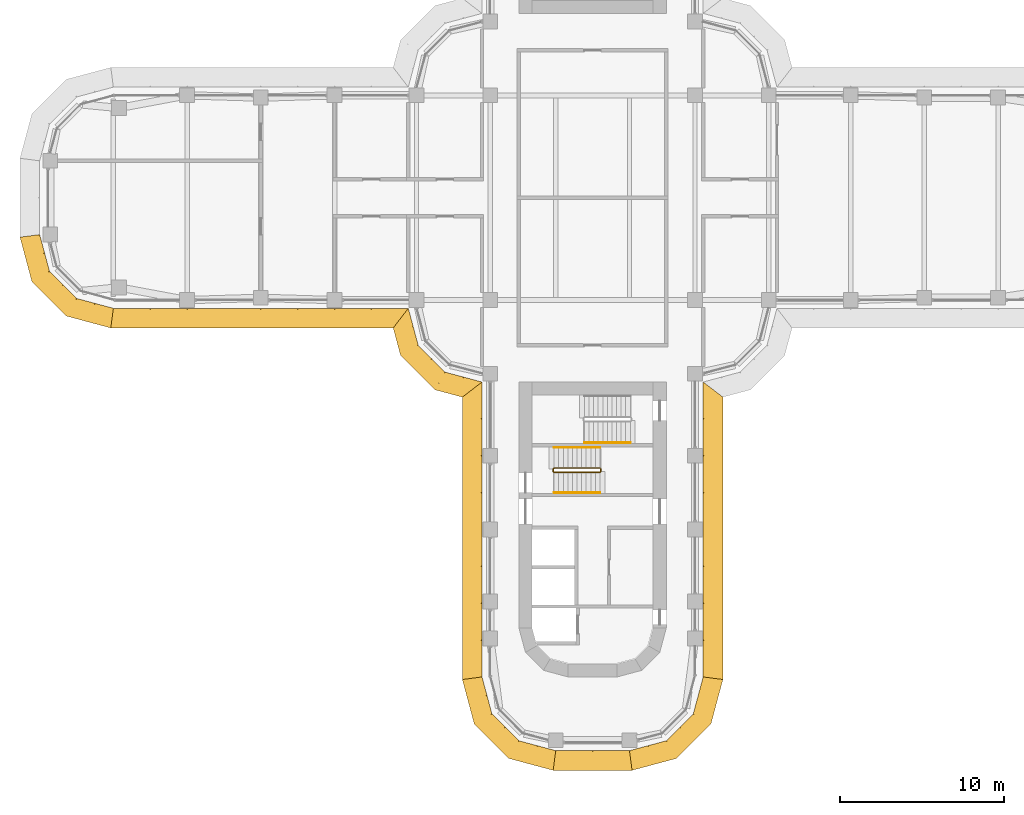
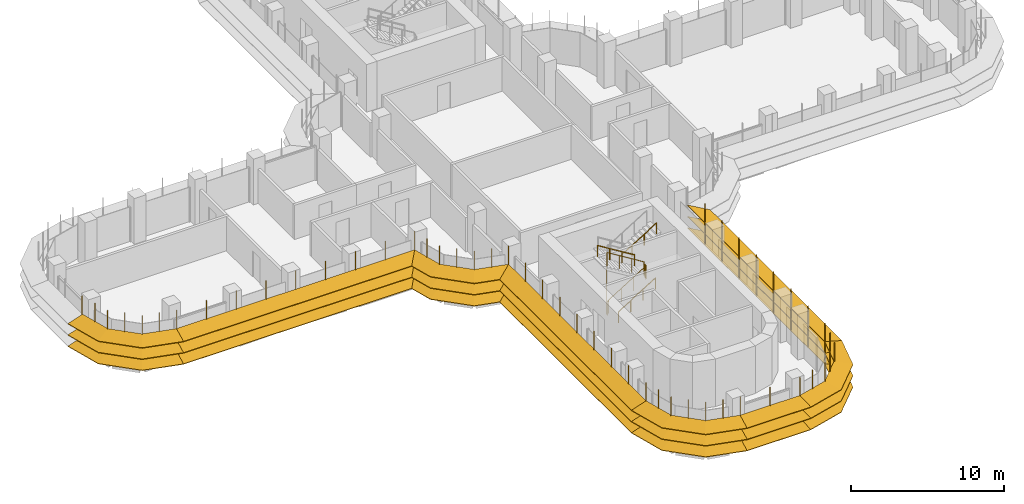
# One storey, part 18 of 21: 8 shading devices, 4 railings.
"""IFC4 building model written with IfcOpenShell, lengths in metres."""

from ifc_helpers import new_model, si_unit, direction, frame, origin, origin_2d, place, context, subcontext, project, spatial, polyline, circle, outline, extrude, faceted_brep, source, transform, mapped, material, type_object, element, save


model = new_model("IFC4")

# Units and contexts
model_context = context("Model", 3, precision=1e-05, world=origin(), true_north=direction((0.0, 1.0)))
body_context = subcontext(model_context, "Body", "Model", "MODEL_VIEW")
ifc_project = project(units=[si_unit("LENGTHUNIT", "METRE"), si_unit("AREAUNIT", "SQUARE_METRE"), si_unit("VOLUMEUNIT", "CUBIC_METRE"), si_unit("PLANEANGLEUNIT", "RADIAN"), si_unit("MASSUNIT", "GRAM", prefix="KILO")], contexts=[model_context])

# Site, building, storey
site_placement = place(None, origin())
site = spatial("IfcSite", under=ifc_project, at=site_placement, CompositionType="ELEMENT")
building_placement = place(site_placement, origin())
building = spatial("IfcBuilding", under=site, at=building_placement, Name="Zarbagh Exchange Tower", CompositionType="ELEMENT")
storey_placement = place(building_placement, frame((0.0, 0.0, 120.800048828125)))
storey = spatial("IfcBuildingStorey", under=building, at=storey_placement, Name="L28", CompositionType="ELEMENT", Elevation=120.800048828125)

# Railings
ifc_material_1 = material(Name="Stainless steel", Category="steel")
railing_type_1 = type_object("IfcRailingType", Name="Stair guard 1100 mm", PredefinedType="GUARDRAIL", material=ifc_material_1)
railing_1_placement = place(storey_placement, frame((0.449951171875, -16.5, 2.07275390625)))
element("IfcRailing", 1, at=railing_1_placement, inside=storey, type_object=railing_type_1, Name="ST3 stair guard 1", PredefinedType="GUARDRAIL", context=body_context, shape_type="SweptSolid", body=[
    extrude(circle(Radius=0.02392578125, at=origin_2d()), frame((0.0, 0.0, 1.076171875), z_axis=(-0.851089632645, 0.0, 0.525020415988), x_axis=(0.0, -1.0, 0.0)), (0.0, 0.0, 1.0), 3.2900390625),
    extrude(circle(Radius=0.02392578125, at=origin_2d()), frame((-2.800048828125, 0.0, 2.80322265625), z_axis=(-0.013104066473, -0.013168302093, -0.99982742474), x_axis=(0.708833529934, -0.705375805398, 0.0)), (0.0, 0.0, 1.0), 3.80078125),
    extrude(circle(Radius=0.02392578125, at=origin_2d()), frame((-2.849853515625, -0.050048828125, -0.99658203125), z_axis=(0.0, -1.0, 0.0), x_axis=(1.0, 0.0, 0.0)), (0.0, 0.0, 1.0), 0.14990234375),
    extrude(circle(Radius=0.02392578125, at=origin_2d()), frame((-2.849853515625, -0.199951171875, -0.99658203125), z_axis=(0.267062837333, -0.268371968888, 0.925556009775), x_axis=(0.708833529934, 0.705375805398, 0.0)), (0.0, 0.0, 1.0), 0.1865234375),
    extrude(circle(Radius=0.02392578125, at=origin_2d()), frame((-2.800048828125, -0.25, -0.82421875), z_axis=(0.851089632645, 0.0, 0.525020415988), x_axis=(0.0, 1.0, 0.0)), (0.0, 0.0, 1.0), 3.2900390625),
    extrude(circle(Radius=0.02392578125, at=origin_2d()), frame((0.0, -0.25, 0.9033203125), z_axis=(0.707106781187, 0.707106781187, 0.0), x_axis=(-0.707106781187, 0.707106781187, 0.0)), (0.0, 0.0, 1.0), 0.07080078125),
    extrude(circle(Radius=0.02392578125, at=origin_2d()), frame((0.050048828125, -0.199951171875, 0.9033203125), z_axis=(0.0, 1.0, 0.0), x_axis=(-1.0, 0.0, 0.0)), (0.0, 0.0, 1.0), 0.14990234375),
    extrude(circle(Radius=0.02099609375, at=origin_2d()), origin(), (0.0, 0.0, 1.0), 1.052001953125),
    extrude(circle(Radius=0.02099609375, at=origin_2d()), frame((-0.933349609375, 0.0, 0.57568359375)), (0.0, 0.0, 1.0), 1.052001953125),
    extrude(circle(Radius=0.02099609375, at=origin_2d()), frame((-1.86669921875, 0.0, 1.151611328125)), (0.0, 0.0, 1.0), 1.052001953125),
    extrude(circle(Radius=0.02099609375, at=origin_2d()), frame((-2.800048828125, 0.0, 1.727294921875)), (0.0, 0.0, 1.0), 1.052001953125),
    extrude(circle(Radius=0.02099609375, at=origin_2d()), frame((-2.8125, -0.012451171875, 0.77734375)), (0.0, 0.0, 1.0), 1.052001953125),
    extrude(circle(Radius=0.02099609375, at=origin_2d()), frame((-2.824951171875, -0.02490234375, -0.1728515625)), (0.0, 0.0, 1.0), 1.052001953125),
    extrude(circle(Radius=0.02099609375, at=origin_2d()), frame((-2.83740234375, -0.03759765625, -1.122802734375)), (0.0, 0.0, 1.0), 1.052001953125),
    extrude(circle(Radius=0.02099609375, at=origin_2d()), frame((-2.849853515625, -0.050048828125, -2.07275390625)), (0.0, 0.0, 1.0), 1.052001953125),
    extrude(circle(Radius=0.02099609375, at=origin_2d()), frame((-2.849853515625, -0.199951171875, -2.07275390625)), (0.0, 0.0, 1.0), 1.052001953125),
    extrude(circle(Radius=0.02099609375, at=origin_2d()), frame((-2.800048828125, -0.25, -1.900146484375)), (0.0, 0.0, 1.0), 1.052001953125),
    extrude(circle(Radius=0.02099609375, at=origin_2d()), frame((-1.86669921875, -0.25, -1.324462890625)), (0.0, 0.0, 1.0), 1.052001953125),
    extrude(circle(Radius=0.02099609375, at=origin_2d()), frame((-0.933349609375, -0.25, -0.74853515625)), (0.0, 0.0, 1.0), 1.052001953125),
    extrude(circle(Radius=0.02099609375, at=origin_2d()), frame((0.0, -0.25, -0.1728515625)), (0.0, 0.0, 1.0), 1.052001953125),
    extrude(circle(Radius=0.02099609375, at=origin_2d()), frame((0.050048828125, -0.199951171875, -0.1728515625)), (0.0, 0.0, 1.0), 1.052001953125),
    extrude(circle(Radius=0.02099609375, at=origin_2d()), frame((0.050048828125, -0.050048828125, -0.1728515625)), (0.0, 0.0, 1.0), 1.052001953125),
])
railing_type_2 = type_object("IfcRailingType", Name="Stair handrail 900 mm", PredefinedType="HANDRAIL", material=ifc_material_1)
railing_2_placement = place(storey_placement, frame((-2.35009765625, -18.0, 0.172607421875)))
element("IfcRailing", 2, at=railing_2_placement, inside=storey, type_object=railing_type_2, Name="ST3 stair handrail 1", PredefinedType="HANDRAIL", context=body_context, shape_type="SweptSolid", body=[
    extrude(circle(Radius=0.02392578125, at=origin_2d()), frame((0.0, 0.0, 0.8759765625), z_axis=(0.851089632645, 0.0, 0.525020415988), x_axis=(0.0, 1.0, 0.0)), (0.0, 0.0, 1.0), 3.2900390625),
    extrude(circle(Radius=0.02099609375, at=origin_2d()), origin(), (0.0, 0.0, 1.0), 0.851806640625),
    extrude(circle(Radius=0.02099609375, at=origin_2d()), frame((0.933349609375, 0.0, 0.57568359375)), (0.0, 0.0, 1.0), 0.851806640625),
    extrude(circle(Radius=0.02099609375, at=origin_2d()), frame((1.86669921875, 0.0, 1.151611328125)), (0.0, 0.0, 1.0), 0.851806640625),
    extrude(circle(Radius=0.02099609375, at=origin_2d()), frame((2.800048828125, 0.0, 1.727294921875)), (0.0, 0.0, 1.0), 0.851806640625),
])
railing_3_placement = place(storey_placement, frame((0.449951171875, -15.25, 2.07275390625)))
element("IfcRailing", 3, at=railing_3_placement, inside=storey, type_object=railing_type_2, Name="ST3 stair handrail 2", PredefinedType="HANDRAIL", context=body_context, shape_type="SweptSolid", body=[
    extrude(circle(Radius=0.02392578125, at=origin_2d()), frame((0.0, 0.0, 0.8759765625), z_axis=(-0.851089632645, 0.0, 0.525020415988), x_axis=(0.0, -1.0, 0.0)), (0.0, 0.0, 1.0), 3.2900390625),
    extrude(circle(Radius=0.02099609375, at=origin_2d()), origin(), (0.0, 0.0, 1.0), 0.851806640625),
    extrude(circle(Radius=0.02099609375, at=origin_2d()), frame((-0.933349609375, 0.0, 0.57568359375)), (0.0, 0.0, 1.0), 0.851806640625),
    extrude(circle(Radius=0.02099609375, at=origin_2d()), frame((-1.86669921875, 0.0, 1.151611328125)), (0.0, 0.0, 1.0), 0.851806640625),
    extrude(circle(Radius=0.02099609375, at=origin_2d()), frame((-2.800048828125, 0.0, 1.727294921875)), (0.0, 0.0, 1.0), 0.851806640625),
])
railing_4_placement = place(storey_placement, frame((-0.5, -14.949951171875, 2.07275390625)))
element("IfcRailing", 4, at=railing_4_placement, inside=storey, type_object=railing_type_2, Name="ST4 stair handrail 2", PredefinedType="HANDRAIL", context=body_context, shape_type="SweptSolid", body=[
    extrude(circle(Radius=0.02392578125, at=origin_2d()), frame((0.0, 0.0, 0.8759765625), z_axis=(0.851089632645, 0.0, 0.525020415988), x_axis=(0.0, 1.0, 0.0)), (0.0, 0.0, 1.0), 3.2900390625),
    extrude(circle(Radius=0.02099609375, at=origin_2d()), origin(), (0.0, 0.0, 1.0), 0.851806640625),
    extrude(circle(Radius=0.02099609375, at=origin_2d()), frame((0.933349609375, 0.0, 0.57568359375)), (0.0, 0.0, 1.0), 0.851806640625),
    extrude(circle(Radius=0.02099609375, at=origin_2d()), frame((1.86669921875, 0.0, 1.151611328125)), (0.0, 0.0, 1.0), 0.851806640625),
    extrude(circle(Radius=0.02099609375, at=origin_2d()), frame((2.800048828125, 0.0, 1.727294921875)), (0.0, 0.0, 1.0), 0.851806640625),
])

# Shading devices
ifc_material_2 = material(Name="Anodised aluminium blades and brackets", Category="aluminium")
shading_device_type = type_object("IfcShadingDeviceType", Name="SUNSHADE louvre band, 11.25 degree blades", PredefinedType="JALOUSIE", material=ifc_material_2)
shared_shape_1 = source(origin(), body_context, "Body", "Brep", [
    faceted_brep([(0.0, 0.0, 0.0), (0.0, 0.0, -0.040771484375), (-0.157958984375, -1.199951171875, -0.279541015625), (-0.157958984375, -1.199951171875, -0.23876953125), (2.65087890625, -1.199951171875, -0.23876953125), (2.65087890625, -1.199951171875, -0.279541015625), (2.329345703125, 0.0, -0.040771484375), (2.329345703125, 0.0, 0.0)], [[[0, 1, 2, 3]], [[4, 5, 6, 7]], [[0, 7, 6, 1]], [[1, 6, 5, 2]], [[2, 5, 4, 3]], [[3, 4, 7, 0]]]),
])
shared_shape_2 = source(origin(), body_context, "Body", "Brep", [
    faceted_brep([(0.0, 0.0, 0.0), (0.0, 0.0, -0.040771484375), (-0.321533203125, -1.199951171875, -0.279541015625), (-0.321533203125, -1.199951171875, -0.23876953125), (2.65087890625, -1.199951171875, -0.23876953125), (2.65087890625, -1.199951171875, -0.279541015625), (2.329345703125, 0.0, -0.040771484375), (2.329345703125, 0.0, 0.0)], [[[0, 1, 2, 3]], [[4, 5, 6, 7]], [[0, 7, 6, 1]], [[1, 6, 5, 2]], [[2, 5, 4, 3]], [[3, 4, 7, 0]]]),
])
shared_shape_3 = source(origin(), body_context, "Body", "Brep", [
    faceted_brep([(0.0, 0.0, 0.0), (0.0, 0.0, -0.040771484375), (-0.321533203125, -1.199951171875, -0.279541015625), (-0.321533203125, -1.199951171875, -0.23876953125), (2.4873046875, -1.199951171875, -0.23876953125), (2.4873046875, -1.199951171875, -0.279541015625), (2.329345703125, 0.0, -0.040771484375), (2.329345703125, 0.0, 0.0)], [[[0, 1, 2, 3]], [[4, 5, 6, 7]], [[0, 7, 6, 1]], [[1, 6, 5, 2]], [[2, 5, 4, 3]], [[3, 4, 7, 0]]]),
])
shared_shape_4 = source(origin(), body_context, "Body", "SweptSolid", [
    extrude(outline(polyline([(0.0, -0.012451171875), (0.06005859375, -0.012451171875), (0.06005859375, 0.012451171875), (0.0, 0.012451171875), (0.0, -0.012451171875)])), origin(), (0.0, 0.0, 1.0), 3.350830078125),
])
placement = place(storey_placement, origin())
element("IfcShadingDevice", 5, at=placement, inside=storey, type_object=shading_device_type, Name="SS01 sunshade band", PredefinedType="JALOUSIE", context=body_context, shape_type="MappedRepresentation", body=[
    mapped(shared_shape_1, transform((2.25, -33.75, 2.300048828125), x_axis=(0.965924289636, 0.258824779902, 0.0), y_axis=(-0.258824779902, 0.965924289636, 0.0), z_axis=(0.0, 0.0, 1.0))),
    mapped(shared_shape_1, transform((2.25, -33.75, 1.39990234375), x_axis=(0.965924289636, 0.258824779902, 0.0), y_axis=(-0.258824779902, 0.965924289636, 0.0), z_axis=(0.0, 0.0, 1.0))),
    mapped(shared_shape_1, transform((2.25, -33.75, 0.5), x_axis=(0.965924289636, 0.258824779902, 0.0), y_axis=(-0.258824779902, 0.965924289636, 0.0), z_axis=(0.0, 0.0, 1.0))),
    mapped(shared_shape_2, transform((4.5, -33.147216796875, 2.300048828125), x_axis=(0.707106781187, 0.707106781187, 0.0), y_axis=(-0.707106781187, 0.707106781187, 0.0), z_axis=(0.0, 0.0, 1.0))),
    mapped(shared_shape_2, transform((4.5, -33.147216796875, 1.39990234375), x_axis=(0.707106781187, 0.707106781187, 0.0), y_axis=(-0.707106781187, 0.707106781187, 0.0), z_axis=(0.0, 0.0, 1.0))),
    mapped(shared_shape_2, transform((4.5, -33.147216796875, 0.5), x_axis=(0.707106781187, 0.707106781187, 0.0), y_axis=(-0.707106781187, 0.707106781187, 0.0), z_axis=(0.0, 0.0, 1.0))),
    mapped(shared_shape_3, transform((6.147216796875, -31.5, 2.300048828125), x_axis=(0.258824779902, 0.965924289636, 0.0), y_axis=(-0.965924289636, 0.258824779902, 0.0), z_axis=(0.0, 0.0, 1.0))),
    mapped(shared_shape_3, transform((6.147216796875, -31.5, 1.39990234375), x_axis=(0.258824779902, 0.965924289636, 0.0), y_axis=(-0.965924289636, 0.258824779902, 0.0), z_axis=(0.0, 0.0, 1.0))),
    mapped(shared_shape_3, transform((6.147216796875, -31.5, 0.5), x_axis=(0.258824779902, 0.965924289636, 0.0), y_axis=(-0.965924289636, 0.258824779902, 0.0), z_axis=(0.0, 0.0, 1.0))),
    mapped(shared_shape_4, transform((2.25, -33.75, 0.42919921875), x_axis=(0.130529263012, -0.991444457092, 0.0), y_axis=(0.991444457092, 0.130529263012, 0.0), z_axis=(0.0, 0.0, 1.0))),
    mapped(shared_shape_4, transform((3.375, -33.448486328125, 0.42919921875), x_axis=(0.258825058029, -0.96592421511, 0.0), y_axis=(0.96592421511, 0.258825058029, 0.0), z_axis=(0.0, 0.0, 1.0))),
    mapped(shared_shape_4, transform((4.5, -33.147216796875, 0.42919921875), x_axis=(0.50000275701, -0.866023812018, 0.0), y_axis=(0.866023812018, 0.50000275701, 0.0), z_axis=(0.0, 0.0, 1.0))),
    mapped(shared_shape_4, transform((5.323486328125, -32.323486328125, 0.42919921875), x_axis=(0.707106781187, -0.707106781187, 0.0), y_axis=(0.707106781187, 0.707106781187, 0.0), z_axis=(0.0, 0.0, 1.0))),
    mapped(shared_shape_4, transform((6.147216796875, -31.5, 0.42919921875), x_axis=(0.866023812018, -0.50000275701, 0.0), y_axis=(0.50000275701, 0.866023812018, 0.0), z_axis=(0.0, 0.0, 1.0))),
    mapped(shared_shape_4, transform((6.448486328125, -30.375, 0.42919921875), x_axis=(0.96592421511, -0.258825058029, 0.0), y_axis=(0.258825058029, 0.96592421511, 0.0), z_axis=(0.0, 0.0, 1.0))),
])
element("IfcShadingDevice", 6, at=placement, inside=storey, type_object=shading_device_type, Name="SS19 sunshade band", PredefinedType="JALOUSIE", context=body_context, shape_type="MappedRepresentation", body=[
    mapped(shared_shape_1, transform((-33.75, -2.25, 2.300048828125), x_axis=(0.258824779902, -0.965924289636, 0.0), y_axis=(0.965924289636, 0.258824779902, 0.0), z_axis=(0.0, 0.0, 1.0))),
    mapped(shared_shape_1, transform((-33.75, -2.25, 1.39990234375), x_axis=(0.258824779902, -0.965924289636, 0.0), y_axis=(0.965924289636, 0.258824779902, 0.0), z_axis=(0.0, 0.0, 1.0))),
    mapped(shared_shape_1, transform((-33.75, -2.25, 0.5), x_axis=(0.258824779902, -0.965924289636, 0.0), y_axis=(0.965924289636, 0.258824779902, 0.0), z_axis=(0.0, 0.0, 1.0))),
    mapped(shared_shape_2, transform((-33.147216796875, -4.5, 2.300048828125), x_axis=(0.707106781187, -0.707106781187, 0.0), y_axis=(0.707106781187, 0.707106781187, 0.0), z_axis=(0.0, 0.0, 1.0))),
    mapped(shared_shape_2, transform((-33.147216796875, -4.5, 1.39990234375), x_axis=(0.707106781187, -0.707106781187, 0.0), y_axis=(0.707106781187, 0.707106781187, 0.0), z_axis=(0.0, 0.0, 1.0))),
    mapped(shared_shape_2, transform((-33.147216796875, -4.5, 0.5), x_axis=(0.707106781187, -0.707106781187, 0.0), y_axis=(0.707106781187, 0.707106781187, 0.0), z_axis=(0.0, 0.0, 1.0))),
    mapped(shared_shape_3, transform((-31.5, -6.147216796875, 2.300048828125), x_axis=(0.965924289636, -0.258824779902, 0.0), y_axis=(0.258824779902, 0.965924289636, 0.0), z_axis=(0.0, 0.0, 1.0))),
    mapped(shared_shape_3, transform((-31.5, -6.147216796875, 1.39990234375), x_axis=(0.965924289636, -0.258824779902, 0.0), y_axis=(0.258824779902, 0.965924289636, 0.0), z_axis=(0.0, 0.0, 1.0))),
    mapped(shared_shape_3, transform((-31.5, -6.147216796875, 0.5), x_axis=(0.965924289636, -0.258824779902, 0.0), y_axis=(0.258824779902, 0.965924289636, 0.0), z_axis=(0.0, 0.0, 1.0))),
    mapped(shared_shape_4, transform((-33.75, -2.25, 0.42919921875), x_axis=(-0.991444457092, -0.130529263012, 0.0), y_axis=(0.130529263012, -0.991444457092, 0.0), z_axis=(0.0, 0.0, 1.0))),
    mapped(shared_shape_4, transform((-33.448486328125, -3.375, 0.42919921875), x_axis=(-0.96592421511, -0.258825058029, 0.0), y_axis=(0.258825058029, -0.96592421511, 0.0), z_axis=(0.0, 0.0, 1.0))),
    mapped(shared_shape_4, transform((-33.147216796875, -4.5, 0.42919921875), x_axis=(-0.866023812018, -0.50000275701, 0.0), y_axis=(0.50000275701, -0.866023812018, 0.0), z_axis=(0.0, 0.0, 1.0))),
    mapped(shared_shape_4, transform((-32.323486328125, -5.323486328125, 0.42919921875), x_axis=(-0.707106781187, -0.707106781187, 0.0), y_axis=(0.707106781187, -0.707106781187, 0.0), z_axis=(0.0, 0.0, 1.0))),
    mapped(shared_shape_4, transform((-31.5, -6.147216796875, 0.42919921875), x_axis=(-0.50000275701, -0.866023812018, 0.0), y_axis=(0.866023812018, -0.50000275701, 0.0), z_axis=(0.0, 0.0, 1.0))),
    mapped(shared_shape_4, transform((-30.375, -6.448486328125, 0.42919921875), x_axis=(-0.258825058029, -0.96592421511, 0.0), y_axis=(0.96592421511, -0.258825058029, 0.0), z_axis=(0.0, 0.0, 1.0))),
])
element("IfcShadingDevice", 7, at=placement, inside=storey, type_object=shading_device_type, Name="SS23 sunshade band", PredefinedType="JALOUSIE", context=body_context, shape_type="MappedRepresentation", body=[
    mapped(shared_shape_1, transform((-6.75, -29.25, 2.300048828125), x_axis=(0.258824779902, -0.965924289636, 0.0), y_axis=(0.965924289636, 0.258824779902, 0.0), z_axis=(0.0, 0.0, 1.0))),
    mapped(shared_shape_1, transform((-6.75, -29.25, 1.39990234375), x_axis=(0.258824779902, -0.965924289636, 0.0), y_axis=(0.965924289636, 0.258824779902, 0.0), z_axis=(0.0, 0.0, 1.0))),
    mapped(shared_shape_1, transform((-6.75, -29.25, 0.5), x_axis=(0.258824779902, -0.965924289636, 0.0), y_axis=(0.965924289636, 0.258824779902, 0.0), z_axis=(0.0, 0.0, 1.0))),
    mapped(shared_shape_2, transform((-6.147216796875, -31.5, 2.300048828125), x_axis=(0.707106781187, -0.707106781187, 0.0), y_axis=(0.707106781187, 0.707106781187, 0.0), z_axis=(0.0, 0.0, 1.0))),
    mapped(shared_shape_2, transform((-6.147216796875, -31.5, 1.39990234375), x_axis=(0.707106781187, -0.707106781187, 0.0), y_axis=(0.707106781187, 0.707106781187, 0.0), z_axis=(0.0, 0.0, 1.0))),
    mapped(shared_shape_2, transform((-6.147216796875, -31.5, 0.5), x_axis=(0.707106781187, -0.707106781187, 0.0), y_axis=(0.707106781187, 0.707106781187, 0.0), z_axis=(0.0, 0.0, 1.0))),
    mapped(shared_shape_3, transform((-4.5, -33.147216796875, 2.300048828125), x_axis=(0.965924289636, -0.258824779902, 0.0), y_axis=(0.258824779902, 0.965924289636, 0.0), z_axis=(0.0, 0.0, 1.0))),
    mapped(shared_shape_3, transform((-4.5, -33.147216796875, 1.39990234375), x_axis=(0.965924289636, -0.258824779902, 0.0), y_axis=(0.258824779902, 0.965924289636, 0.0), z_axis=(0.0, 0.0, 1.0))),
    mapped(shared_shape_3, transform((-4.5, -33.147216796875, 0.5), x_axis=(0.965924289636, -0.258824779902, 0.0), y_axis=(0.258824779902, 0.965924289636, 0.0), z_axis=(0.0, 0.0, 1.0))),
    mapped(shared_shape_4, transform((-6.75, -29.25, 0.42919921875), x_axis=(-0.991444457092, -0.130529263012, 0.0), y_axis=(0.130529263012, -0.991444457092, 0.0), z_axis=(0.0, 0.0, 1.0))),
    mapped(shared_shape_4, transform((-6.448486328125, -30.375, 0.42919921875), x_axis=(-0.96592421511, -0.258825058029, 0.0), y_axis=(0.258825058029, -0.96592421511, 0.0), z_axis=(0.0, 0.0, 1.0))),
    mapped(shared_shape_4, transform((-6.147216796875, -31.5, 0.42919921875), x_axis=(-0.866023812018, -0.50000275701, 0.0), y_axis=(0.50000275701, -0.866023812018, 0.0), z_axis=(0.0, 0.0, 1.0))),
    mapped(shared_shape_4, transform((-5.323486328125, -32.323486328125, 0.42919921875), x_axis=(-0.707106781187, -0.707106781187, 0.0), y_axis=(0.707106781187, -0.707106781187, 0.0), z_axis=(0.0, 0.0, 1.0))),
    mapped(shared_shape_4, transform((-4.5, -33.147216796875, 0.42919921875), x_axis=(-0.50000275701, -0.866023812018, 0.0), y_axis=(0.866023812018, -0.50000275701, 0.0), z_axis=(0.0, 0.0, 1.0))),
    mapped(shared_shape_4, transform((-3.375, -33.448486328125, 0.42919921875), x_axis=(-0.258825058029, -0.96592421511, 0.0), y_axis=(0.96592421511, -0.258825058029, 0.0), z_axis=(0.0, 0.0, 1.0))),
])
shared_shape_5 = source(origin(), body_context, "Body", "Brep", [
    faceted_brep([(0.0, 0.0, 0.0), (0.0, 0.0, -0.040771484375), (0.9208984375, -1.199951171875, -0.279541015625), (0.9208984375, -1.199951171875, -0.23876953125), (2.65087890625, -1.199951171875, -0.23876953125), (2.65087890625, -1.199951171875, -0.279541015625), (2.329345703125, 0.0, -0.040771484375), (2.329345703125, 0.0, 0.0)], [[[0, 1, 2, 3]], [[4, 5, 6, 7]], [[0, 7, 6, 1]], [[1, 6, 5, 2]], [[2, 5, 4, 3]], [[3, 4, 7, 0]]]),
])
shared_shape_6 = source(origin(), body_context, "Body", "Brep", [
    faceted_brep([(0.0, 0.0, 0.0), (0.0, 0.0, -0.040771484375), (-0.321533203125, -1.199951171875, -0.279541015625), (-0.321533203125, -1.199951171875, -0.23876953125), (1.40869140625, -1.199951171875, -0.23876953125), (1.40869140625, -1.199951171875, -0.279541015625), (2.329345703125, 0.0, -0.040771484375), (2.329345703125, 0.0, 0.0)], [[[0, 1, 2, 3]], [[4, 5, 6, 7]], [[0, 7, 6, 1]], [[1, 6, 5, 2]], [[2, 5, 4, 3]], [[3, 4, 7, 0]]]),
])
element("IfcShadingDevice", 8, at=placement, inside=storey, type_object=shading_device_type, Name="SS21 sunshade band", PredefinedType="JALOUSIE", context=body_context, shape_type="MappedRepresentation", body=[
    mapped(shared_shape_5, transform((-11.25, -6.75, 2.300048828125), x_axis=(0.258824779902, -0.965924289636, 0.0), y_axis=(0.965924289636, 0.258824779902, 0.0), z_axis=(0.0, 0.0, 1.0))),
    mapped(shared_shape_5, transform((-11.25, -6.75, 1.39990234375), x_axis=(0.258824779902, -0.965924289636, 0.0), y_axis=(0.965924289636, 0.258824779902, 0.0), z_axis=(0.0, 0.0, 1.0))),
    mapped(shared_shape_5, transform((-11.25, -6.75, 0.5), x_axis=(0.258824779902, -0.965924289636, 0.0), y_axis=(0.965924289636, 0.258824779902, 0.0), z_axis=(0.0, 0.0, 1.0))),
    mapped(shared_shape_2, transform((-10.647216796875, -9.0, 2.300048828125), x_axis=(0.707106781187, -0.707106781187, 0.0), y_axis=(0.707106781187, 0.707106781187, 0.0), z_axis=(0.0, 0.0, 1.0))),
    mapped(shared_shape_2, transform((-10.647216796875, -9.0, 1.39990234375), x_axis=(0.707106781187, -0.707106781187, 0.0), y_axis=(0.707106781187, 0.707106781187, 0.0), z_axis=(0.0, 0.0, 1.0))),
    mapped(shared_shape_2, transform((-10.647216796875, -9.0, 0.5), x_axis=(0.707106781187, -0.707106781187, 0.0), y_axis=(0.707106781187, 0.707106781187, 0.0), z_axis=(0.0, 0.0, 1.0))),
    mapped(shared_shape_6, transform((-9.0, -10.647216796875, 2.300048828125), x_axis=(0.965924289636, -0.258824779902, 0.0), y_axis=(0.258824779902, 0.965924289636, 0.0), z_axis=(0.0, 0.0, 1.0))),
    mapped(shared_shape_6, transform((-9.0, -10.647216796875, 1.39990234375), x_axis=(0.965924289636, -0.258824779902, 0.0), y_axis=(0.258824779902, 0.965924289636, 0.0), z_axis=(0.0, 0.0, 1.0))),
    mapped(shared_shape_6, transform((-9.0, -10.647216796875, 0.5), x_axis=(0.965924289636, -0.258824779902, 0.0), y_axis=(0.258824779902, 0.965924289636, 0.0), z_axis=(0.0, 0.0, 1.0))),
    mapped(shared_shape_4, transform((-11.25, -6.75, 0.42919921875), x_axis=(-0.608758892, -0.793355287, 0.0), y_axis=(0.793355287, -0.608758892, 0.0), z_axis=(0.0, 0.0, 1.0))),
    mapped(shared_shape_4, transform((-10.948486328125, -7.875, 0.42919921875), x_axis=(-0.96592421511, -0.258825058029, 0.0), y_axis=(0.258825058029, -0.96592421511, 0.0), z_axis=(0.0, 0.0, 1.0))),
    mapped(shared_shape_4, transform((-10.647216796875, -9.0, 0.42919921875), x_axis=(-0.866023812018, -0.50000275701, 0.0), y_axis=(0.50000275701, -0.866023812018, 0.0), z_axis=(0.0, 0.0, 1.0))),
    mapped(shared_shape_4, transform((-9.823486328125, -9.823486328125, 0.42919921875), x_axis=(-0.707106781187, -0.707106781187, 0.0), y_axis=(0.707106781187, -0.707106781187, 0.0), z_axis=(0.0, 0.0, 1.0))),
    mapped(shared_shape_4, transform((-9.0, -10.647216796875, 0.42919921875), x_axis=(-0.50000275701, -0.866023812018, 0.0), y_axis=(0.866023812018, -0.50000275701, 0.0), z_axis=(0.0, 0.0, 1.0))),
    mapped(shared_shape_4, transform((-7.875, -10.948486328125, 0.42919921875), x_axis=(-0.258825058029, -0.96592421511, 0.0), y_axis=(0.96592421511, -0.258825058029, 0.0), z_axis=(0.0, 0.0, 1.0))),
])
shared_shape_7 = source(origin(), body_context, "Body", "Brep", [
    faceted_brep([(0.0, 0.0, 0.0), (0.0, 0.0, -0.040771484375), (-0.157958984375, -1.199951171875, -0.279541015625), (-0.157958984375, -1.199951171875, -0.23876953125), (17.0791015625, -1.199951171875, -0.23876953125), (17.0791015625, -1.199951171875, -0.279541015625), (18.0, 0.0, -0.040771484375), (18.0, 0.0, 0.0)], [[[0, 1, 2, 3]], [[4, 5, 6, 7]], [[0, 7, 6, 1]], [[1, 6, 5, 2]], [[2, 5, 4, 3]], [[3, 4, 7, 0]]]),
])
element("IfcShadingDevice", 9, at=placement, inside=storey, type_object=shading_device_type, Name="SS02 sunshade band", PredefinedType="JALOUSIE", context=body_context, shape_type="MappedRepresentation", body=[
    mapped(shared_shape_7, transform((6.75, -29.25, 2.300048828125), x_axis=(0.0, 1.0, 0.0), y_axis=(-1.0, 0.0, 0.0), z_axis=(0.0, 0.0, 1.0))),
    mapped(shared_shape_7, transform((6.75, -29.25, 1.39990234375), x_axis=(0.0, 1.0, 0.0), y_axis=(-1.0, 0.0, 0.0), z_axis=(0.0, 0.0, 1.0))),
    mapped(shared_shape_7, transform((6.75, -29.25, 0.5), x_axis=(0.0, 1.0, 0.0), y_axis=(-1.0, 0.0, 0.0), z_axis=(0.0, 0.0, 1.0))),
    mapped(shared_shape_4, transform((6.75, -29.25, 0.42919921875), x_axis=(0.991444457092, -0.130529263012, 0.0), y_axis=(0.130529263012, 0.991444457092, 0.0), z_axis=(0.0, 0.0, 1.0))),
    mapped(shared_shape_4, transform((6.75, -27.0, 0.42919921875), x_axis=(1.0, 0.0, 0.0), y_axis=(0.0, 1.0, 0.0), z_axis=(0.0, 0.0, 1.0))),
    mapped(shared_shape_4, transform((6.75, -24.75, 0.42919921875), x_axis=(1.0, 0.0, 0.0), y_axis=(0.0, 1.0, 0.0), z_axis=(0.0, 0.0, 1.0))),
    mapped(shared_shape_4, transform((6.75, -22.5, 0.42919921875), x_axis=(1.0, 0.0, 0.0), y_axis=(0.0, 1.0, 0.0), z_axis=(0.0, 0.0, 1.0))),
    mapped(shared_shape_4, transform((6.75, -20.25, 0.42919921875), x_axis=(1.0, 0.0, 0.0), y_axis=(0.0, 1.0, 0.0), z_axis=(0.0, 0.0, 1.0))),
    mapped(shared_shape_4, transform((6.75, -18.0, 0.42919921875), x_axis=(1.0, 0.0, 0.0), y_axis=(0.0, 1.0, 0.0), z_axis=(0.0, 0.0, 1.0))),
    mapped(shared_shape_4, transform((6.75, -15.75, 0.42919921875), x_axis=(1.0, 0.0, 0.0), y_axis=(0.0, 1.0, 0.0), z_axis=(0.0, 0.0, 1.0))),
    mapped(shared_shape_4, transform((6.75, -13.5, 0.42919921875), x_axis=(1.0, 0.0, 0.0), y_axis=(0.0, 1.0, 0.0), z_axis=(0.0, 0.0, 1.0))),
])
element("IfcShadingDevice", 10, at=placement, inside=storey, type_object=shading_device_type, Name="SS20 sunshade band", PredefinedType="JALOUSIE", context=body_context, shape_type="MappedRepresentation", body=[
    mapped(shared_shape_7, transform((-29.25, -6.75, 2.300048828125), x_axis=(1.0, 0.0, 0.0), y_axis=(0.0, 1.0, 0.0), z_axis=(0.0, 0.0, 1.0))),
    mapped(shared_shape_7, transform((-29.25, -6.75, 1.39990234375), x_axis=(1.0, 0.0, 0.0), y_axis=(0.0, 1.0, 0.0), z_axis=(0.0, 0.0, 1.0))),
    mapped(shared_shape_7, transform((-29.25, -6.75, 0.5), x_axis=(1.0, 0.0, 0.0), y_axis=(0.0, 1.0, 0.0), z_axis=(0.0, 0.0, 1.0))),
    mapped(shared_shape_4, transform((-29.25, -6.75, 0.42919921875), x_axis=(-0.130529263012, -0.991444457092, 0.0), y_axis=(0.991444457092, -0.130529263012, 0.0), z_axis=(0.0, 0.0, 1.0))),
    mapped(shared_shape_4, transform((-27.0, -6.75, 0.42919921875), x_axis=(0.0, -1.0, 0.0), y_axis=(1.0, 0.0, 0.0), z_axis=(0.0, 0.0, 1.0))),
    mapped(shared_shape_4, transform((-24.75, -6.75, 0.42919921875), x_axis=(0.0, -1.0, 0.0), y_axis=(1.0, 0.0, 0.0), z_axis=(0.0, 0.0, 1.0))),
    mapped(shared_shape_4, transform((-22.5, -6.75, 0.42919921875), x_axis=(0.0, -1.0, 0.0), y_axis=(1.0, 0.0, 0.0), z_axis=(0.0, 0.0, 1.0))),
    mapped(shared_shape_4, transform((-20.25, -6.75, 0.42919921875), x_axis=(0.0, -1.0, 0.0), y_axis=(1.0, 0.0, 0.0), z_axis=(0.0, 0.0, 1.0))),
    mapped(shared_shape_4, transform((-18.0, -6.75, 0.42919921875), x_axis=(0.0, -1.0, 0.0), y_axis=(1.0, 0.0, 0.0), z_axis=(0.0, 0.0, 1.0))),
    mapped(shared_shape_4, transform((-15.75, -6.75, 0.42919921875), x_axis=(0.0, -1.0, 0.0), y_axis=(1.0, 0.0, 0.0), z_axis=(0.0, 0.0, 1.0))),
    mapped(shared_shape_4, transform((-13.5, -6.75, 0.42919921875), x_axis=(0.0, -1.0, 0.0), y_axis=(1.0, 0.0, 0.0), z_axis=(0.0, 0.0, 1.0))),
])
shared_shape_8 = source(origin(), body_context, "Body", "Brep", [
    faceted_brep([(0.0, 0.0, 0.0), (0.0, 0.0, -0.040771484375), (0.9208984375, -1.199951171875, -0.279541015625), (0.9208984375, -1.199951171875, -0.23876953125), (18.157958984375, -1.199951171875, -0.23876953125), (18.157958984375, -1.199951171875, -0.279541015625), (18.0, 0.0, -0.040771484375), (18.0, 0.0, 0.0)], [[[0, 1, 2, 3]], [[4, 5, 6, 7]], [[0, 7, 6, 1]], [[1, 6, 5, 2]], [[2, 5, 4, 3]], [[3, 4, 7, 0]]]),
])
element("IfcShadingDevice", 11, at=placement, inside=storey, type_object=shading_device_type, Name="SS22 sunshade band", PredefinedType="JALOUSIE", context=body_context, shape_type="MappedRepresentation", body=[
    mapped(shared_shape_8, transform((-6.75, -11.25, 2.300048828125), x_axis=(0.0, -1.0, 0.0), y_axis=(1.0, 0.0, 0.0), z_axis=(0.0, 0.0, 1.0))),
    mapped(shared_shape_8, transform((-6.75, -11.25, 1.39990234375), x_axis=(0.0, -1.0, 0.0), y_axis=(1.0, 0.0, 0.0), z_axis=(0.0, 0.0, 1.0))),
    mapped(shared_shape_8, transform((-6.75, -11.25, 0.5), x_axis=(0.0, -1.0, 0.0), y_axis=(1.0, 0.0, 0.0), z_axis=(0.0, 0.0, 1.0))),
    mapped(shared_shape_4, transform((-6.75, -11.25, 0.42919921875), x_axis=(-0.793355287, -0.608758892, 0.0), y_axis=(0.608758892, -0.793355287, 0.0), z_axis=(0.0, 0.0, 1.0))),
    mapped(shared_shape_4, transform((-6.75, -13.5, 0.42919921875), x_axis=(-1.0, 0.0, 0.0), y_axis=(0.0, -1.0, 0.0), z_axis=(0.0, 0.0, 1.0))),
    mapped(shared_shape_4, transform((-6.75, -15.75, 0.42919921875), x_axis=(-1.0, 0.0, 0.0), y_axis=(0.0, -1.0, 0.0), z_axis=(0.0, 0.0, 1.0))),
    mapped(shared_shape_4, transform((-6.75, -18.0, 0.42919921875), x_axis=(-1.0, 0.0, 0.0), y_axis=(0.0, -1.0, 0.0), z_axis=(0.0, 0.0, 1.0))),
    mapped(shared_shape_4, transform((-6.75, -20.25, 0.42919921875), x_axis=(-1.0, 0.0, 0.0), y_axis=(0.0, -1.0, 0.0), z_axis=(0.0, 0.0, 1.0))),
    mapped(shared_shape_4, transform((-6.75, -22.5, 0.42919921875), x_axis=(-1.0, 0.0, 0.0), y_axis=(0.0, -1.0, 0.0), z_axis=(0.0, 0.0, 1.0))),
    mapped(shared_shape_4, transform((-6.75, -24.75, 0.42919921875), x_axis=(-1.0, 0.0, 0.0), y_axis=(0.0, -1.0, 0.0), z_axis=(0.0, 0.0, 1.0))),
    mapped(shared_shape_4, transform((-6.75, -27.0, 0.42919921875), x_axis=(-1.0, 0.0, 0.0), y_axis=(0.0, -1.0, 0.0), z_axis=(0.0, 0.0, 1.0))),
])
shared_shape_9 = source(origin(), body_context, "Body", "Brep", [
    faceted_brep([(0.0, 0.0, 0.0), (0.0, 0.0, -0.040771484375), (-0.157958984375, -1.199951171875, -0.279541015625), (-0.157958984375, -1.199951171875, -0.23876953125), (4.657958984375, -1.199951171875, -0.23876953125), (4.657958984375, -1.199951171875, -0.279541015625), (4.5, 0.0, -0.040771484375), (4.5, 0.0, 0.0)], [[[0, 1, 2, 3]], [[4, 5, 6, 7]], [[0, 7, 6, 1]], [[1, 6, 5, 2]], [[2, 5, 4, 3]], [[3, 4, 7, 0]]]),
])
element("IfcShadingDevice", 12, at=placement, inside=storey, type_object=shading_device_type, Name="SS24 sunshade band", PredefinedType="JALOUSIE", context=body_context, shape_type="MappedRepresentation", body=[
    mapped(shared_shape_9, transform((-2.25, -33.75, 2.300048828125), x_axis=(1.0, 0.0, 0.0), y_axis=(0.0, 1.0, 0.0), z_axis=(0.0, 0.0, 1.0))),
    mapped(shared_shape_9, transform((-2.25, -33.75, 1.39990234375), x_axis=(1.0, 0.0, 0.0), y_axis=(0.0, 1.0, 0.0), z_axis=(0.0, 0.0, 1.0))),
    mapped(shared_shape_9, transform((-2.25, -33.75, 0.5), x_axis=(1.0, 0.0, 0.0), y_axis=(0.0, 1.0, 0.0), z_axis=(0.0, 0.0, 1.0))),
    mapped(shared_shape_4, transform((-2.25, -33.75, 0.42919921875), x_axis=(-0.130529263012, -0.991444457092, 0.0), y_axis=(0.991444457092, -0.130529263012, 0.0), z_axis=(0.0, 0.0, 1.0))),
    mapped(shared_shape_4, transform((0.0, -33.75, 0.42919921875), x_axis=(0.0, -1.0, 0.0), y_axis=(1.0, 0.0, 0.0), z_axis=(0.0, 0.0, 1.0))),
])

save(model, "model.ifc")
